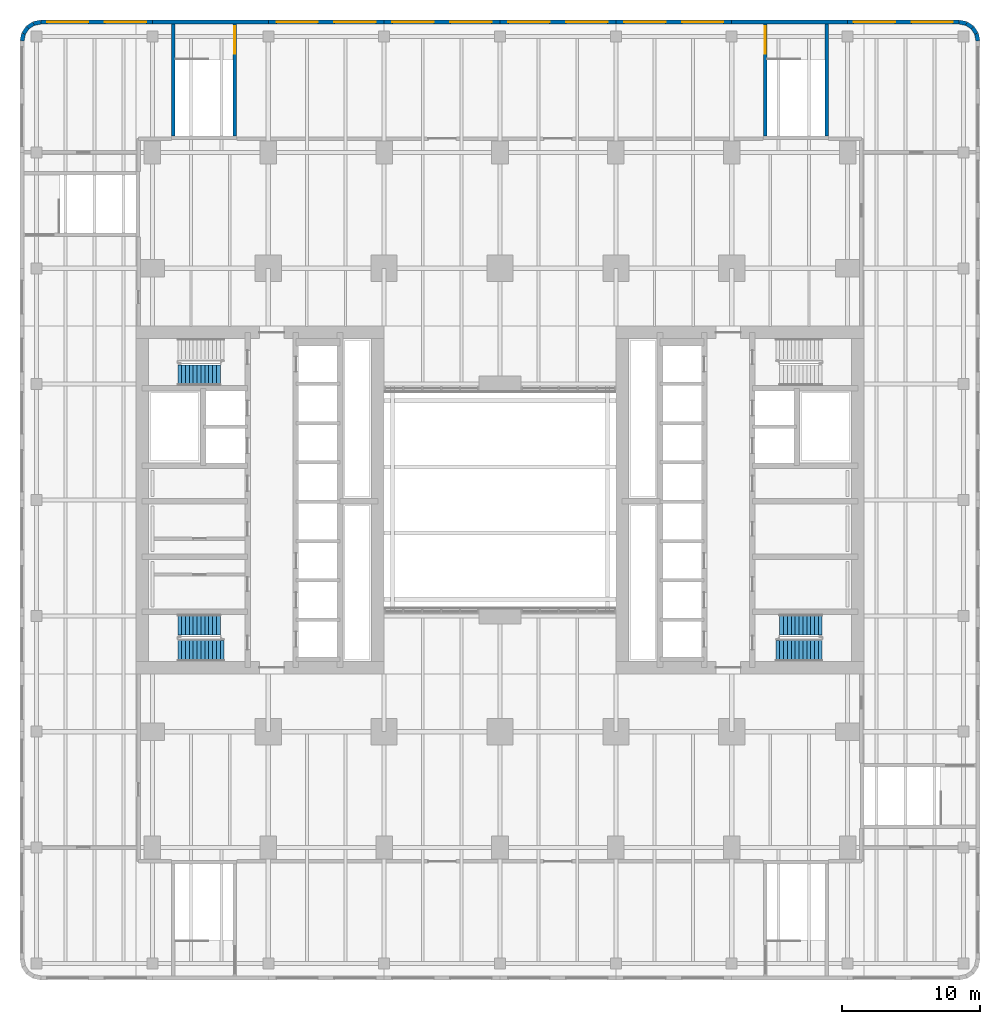
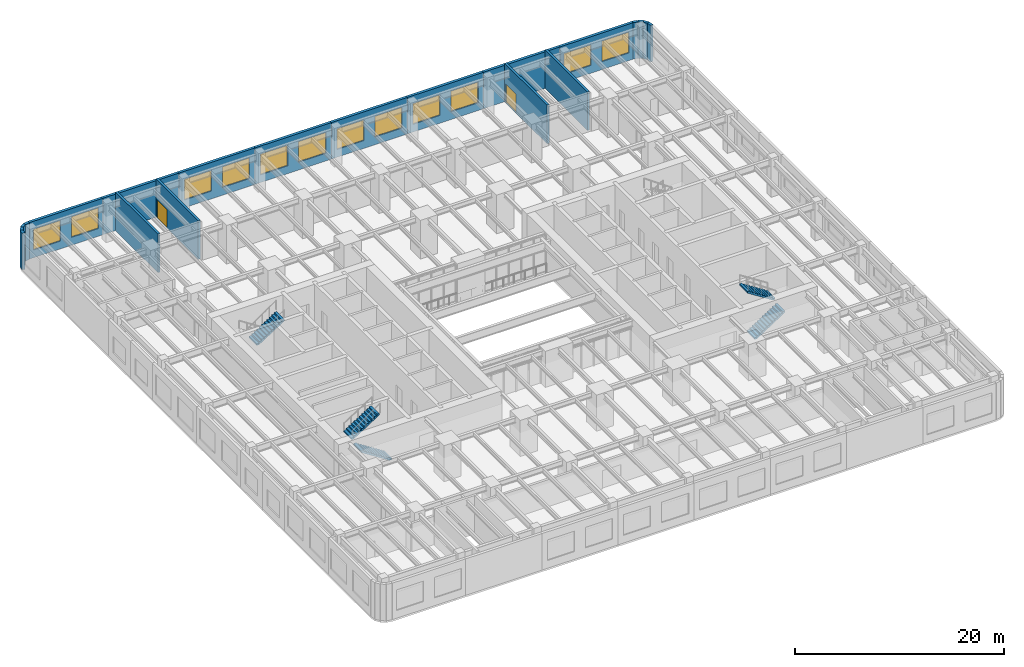
# One storey, part 14 of 22: 20 walls, 12 windows, 5 stair flights, 2 doors, 14 openings, 3 elements without a shape of their own.
"""IFC4 building model written with IfcOpenShell, lengths in metres."""

from ifc_helpers import new_model, si_unit, direction, frame, frame_2d, origin, place, context, subcontext, project, spatial, polyline, rectangle, outline, extrude, material, layer, layer_set, type_object, element, fill, aggregate, save


model = new_model("IFC4")

# Units and contexts
model_context = context("Model", 3, precision=1e-05, world=origin(), true_north=direction((0.0, 1.0)))
body_context = subcontext(model_context, "Body", "Model", "MODEL_VIEW")
ifc_project = project(units=[si_unit("LENGTHUNIT", "METRE"), si_unit("AREAUNIT", "SQUARE_METRE"), si_unit("VOLUMEUNIT", "CUBIC_METRE"), si_unit("PLANEANGLEUNIT", "RADIAN"), si_unit("MASSUNIT", "GRAM", prefix="KILO")], contexts=[model_context])

# Site, building, storey
site_placement = place(None, origin())
site = spatial("IfcSite", under=ifc_project, at=site_placement, CompositionType="ELEMENT")
building_placement = place(site_placement, origin())
building = spatial("IfcBuilding", under=site, at=building_placement, Name="Claustro Exchange Tower", CompositionType="ELEMENT")
storey_placement = place(building_placement, frame((0.0, 0.0, 14.39990234375)))
storey = spatial("IfcBuildingStorey", under=building, at=storey_placement, Name="L03", CompositionType="ELEMENT", Elevation=14.39990234375)

# Walls
ifc_material_1 = material(Name="Concrete HA-40 (C40/50), precast, white cement, acid-etched", Category="concrete")
ifc_layer_1 = layer(ifc_material_1, 0.300048828125)
ifc_layer_set_1 = layer_set([ifc_layer_1], Name="Concrete HA-40 (C40/50), precast, white cement, acid-etched")
wall_type_1 = type_object("IfcWallType", Name="PC1 300 precast concrete pier panel", PredefinedType="SOLIDWALL", material=ifc_layer_set_1)
wall_1_placement = place(storey_placement, frame((-9.449951171875, 58.485107421875, 0.0), z_axis=(0.0, 0.0, 1.0), x_axis=(0.195073962632, 0.980788534345, 0.0)))
element("IfcWall", 1, at=wall_1_placement, inside=storey, type_object=wall_type_1, Name="Precast pier panel PC1 L03", PredefinedType="SOLIDWALL", context=body_context, shape_type="SweptSolid", body=[
    extrude(rectangle(XDim=0.540771484375, YDim=0.300048828125, at=frame_2d((0.2705078125, 0.0))), origin(), (0.0, 0.0, 1.0), 4.25),
])
wall_2_placement = place(storey_placement, frame((-9.344482421875, 59.015380859375, 0.0), z_axis=(0.0, 0.0, 1.0), x_axis=(0.55534295404, 0.831621430339, 0.0)))
element("IfcWall", 2, at=wall_2_placement, inside=storey, type_object=wall_type_1, Name="Precast pier panel PC1 L03", PredefinedType="SOLIDWALL", context=body_context, shape_type="SweptSolid", body=[
    extrude(rectangle(XDim=0.52587890625, YDim=0.300048828125, at=frame_2d((0.262939453125, 0.0))), origin(), (0.0, 0.0, 1.0), 4.25),
])
wall_3_placement = place(storey_placement, frame((-9.052490234375, 59.45263671875, 0.0), z_axis=(0.0, 0.0, 1.0), x_axis=(0.831692711774, 0.555236195849, 0.0)))
element("IfcWall", 3, at=wall_3_placement, inside=storey, type_object=wall_type_1, Name="Precast pier panel PC1 L03", PredefinedType="SOLIDWALL", context=body_context, shape_type="SweptSolid", body=[
    extrude(rectangle(XDim=0.525390625, YDim=0.300048828125, at=frame_2d((0.2626953125, 0.0))), origin(), (0.0, 0.0, 1.0), 4.25),
])
wall_4_placement = place(storey_placement, frame((-8.615478515625, 59.744384765625, 0.0), z_axis=(0.0, 0.0, 1.0), x_axis=(0.980702050465, 0.1955082817, 0.0)))
element("IfcWall", 4, at=wall_4_placement, inside=storey, type_object=wall_type_1, Name="Precast pier panel PC1 L03", PredefinedType="SOLIDWALL", context=body_context, shape_type="SweptSolid", body=[
    extrude(rectangle(XDim=0.540771484375, YDim=0.300048828125, at=frame_2d((0.2705078125, 0.0))), origin(), (0.0, 0.0, 1.0), 4.25),
])

# Wall, openings, windows
wall_5_placement = place(storey_placement, frame((-8.085205078125, 59.85009765625, 0.0), z_axis=(0.0, 0.0, 1.0), x_axis=(1.0, 0.0, 0.0)))
wall_5 = element("IfcWall", 5, at=wall_5_placement, inside=storey, type_object=wall_type_1, Name="Precast pier panel PC1 L03", PredefinedType="SOLIDWALL", context=body_context, shape_type="SweptSolid", body=[
    extrude(rectangle(XDim=8.085205078125, YDim=0.300048828125, at=frame_2d((4.04248046875, 0.0))), origin(), (0.0, 0.0, 1.0), 4.25),
])
opening_1_placement = place(wall_5_placement, frame((0.442626953125, 0.0, 0.89990234375)))
opening_1 = element("IfcOpeningElement", 6, at=opening_1_placement, cuts=wall_5, Name="Opening W3", PredefinedType="OPENING", context=body_context, shape_type="SweptSolid", body=[
    extrude(rectangle(XDim=3.0, YDim=2.39990234375, at=frame_2d((1.5, 1.199951171875))), frame((0.0, 0.159912109375, 0.0), z_axis=(0.0, -1.0, 0.0), x_axis=(1.0, 0.0, 0.0)), (0.0, 0.0, 1.0), 0.320068359375),
])
opening_2_placement = place(wall_5_placement, frame((4.642578125, 0.0, 0.89990234375)))
opening_2 = element("IfcOpeningElement", 7, at=opening_2_placement, cuts=wall_5, Name="Opening W3", PredefinedType="OPENING", context=body_context, shape_type="SweptSolid", body=[
    extrude(rectangle(XDim=3.0, YDim=2.39990234375, at=frame_2d((1.5, 1.199951171875))), frame((0.0, 0.159912109375, 0.0), z_axis=(0.0, -1.0, 0.0), x_axis=(1.0, 0.0, 0.0)), (0.0, 0.0, 1.0), 0.320068359375),
])
ifc_material_2 = material(Name="Aluminium frame, clear double glazing", Category="aluminium")
window_type = type_object("IfcWindowType", Name="W3 3000 x 2400 window", PartitioningType="SINGLE_PANEL", PredefinedType="WINDOW", material=ifc_material_2)
window_1_placement = place(opening_1_placement, origin())
window_1 = element("IfcWindow", 8, at=window_1_placement, inside=storey, type_object=window_type, Name="Window W3 L03", OverallHeight=2.39990234375, OverallWidth=3.0, PartitioningType="SINGLE_PANEL", PredefinedType="WINDOW", context=body_context, shape_type="SweptSolid", body=[
    extrude(rectangle(XDim=3.0, YDim=2.39990234375, at=frame_2d((1.5, 1.199951171875))), frame((0.0, 0.030029296875, 0.0), z_axis=(0.0, -1.0, 0.0), x_axis=(1.0, 0.0, 0.0)), (0.0, 0.0, 1.0), 0.06005859375),
])
fill(opening_1, window_1)
window_2_placement = place(opening_2_placement, origin())
window_2 = element("IfcWindow", 9, at=window_2_placement, inside=storey, type_object=window_type, Name="Window W3 L03", OverallHeight=2.39990234375, OverallWidth=3.0, PartitioningType="SINGLE_PANEL", PredefinedType="WINDOW", context=body_context, shape_type="SweptSolid", body=[
    extrude(rectangle(XDim=3.0, YDim=2.39990234375, at=frame_2d((1.5, 1.199951171875))), frame((0.0, 0.030029296875, 0.0), z_axis=(0.0, -1.0, 0.0), x_axis=(1.0, 0.0, 0.0)), (0.0, 0.0, 1.0), 0.06005859375),
])
fill(opening_2, window_2)

# Wall
wall_6_placement = place(storey_placement, frame((0.0, 59.85009765625, 0.0), z_axis=(0.0, 0.0, 1.0), x_axis=(1.0, 0.0, 0.0)))
element("IfcWall", 10, at=wall_6_placement, inside=storey, type_object=wall_type_1, Name="Precast pier panel PC1 L03", PredefinedType="SOLIDWALL", context=body_context, shape_type="SweptSolid", body=[
    extrude(rectangle(XDim=8.39990234375, YDim=0.300048828125, at=frame_2d((4.199951171875, 0.0))), origin(), (0.0, 0.0, 1.0), 4.25),
])

# Wall, openings, windows
wall_7_placement = place(storey_placement, frame((8.39990234375, 59.85009765625, 0.0), z_axis=(0.0, 0.0, 1.0), x_axis=(1.0, 0.0, 0.0)))
wall_7 = element("IfcWall", 11, at=wall_7_placement, inside=storey, type_object=wall_type_1, Name="Precast pier panel PC1 L03", PredefinedType="SOLIDWALL", context=body_context, shape_type="SweptSolid", body=[
    extrude(rectangle(XDim=8.400146484375, YDim=0.300048828125, at=frame_2d((4.2001953125, 0.0))), origin(), (0.0, 0.0, 1.0), 4.25),
])
opening_3_placement = place(wall_7_placement, frame((0.60009765625, 0.0, 0.89990234375)))
opening_3 = element("IfcOpeningElement", 12, at=opening_3_placement, cuts=wall_7, Name="Opening W3", PredefinedType="OPENING", context=body_context, shape_type="SweptSolid", body=[
    extrude(rectangle(XDim=3.0, YDim=2.39990234375, at=frame_2d((1.5, 1.199951171875))), frame((0.0, 0.159912109375, 0.0), z_axis=(0.0, -1.0, 0.0), x_axis=(1.0, 0.0, 0.0)), (0.0, 0.0, 1.0), 0.320068359375),
])
opening_4_placement = place(wall_7_placement, frame((4.800048828125, 0.0, 0.89990234375)))
opening_4 = element("IfcOpeningElement", 13, at=opening_4_placement, cuts=wall_7, Name="Opening W3", PredefinedType="OPENING", context=body_context, shape_type="SweptSolid", body=[
    extrude(rectangle(XDim=3.0, YDim=2.39990234375, at=frame_2d((1.5, 1.199951171875))), frame((0.0, 0.159912109375, 0.0), z_axis=(0.0, -1.0, 0.0), x_axis=(1.0, 0.0, 0.0)), (0.0, 0.0, 1.0), 0.320068359375),
])
window_3_placement = place(opening_3_placement, origin())
window_3 = element("IfcWindow", 14, at=window_3_placement, inside=storey, type_object=window_type, Name="Window W3 L03", OverallHeight=2.39990234375, OverallWidth=3.0, PartitioningType="SINGLE_PANEL", PredefinedType="WINDOW", context=body_context, shape_type="SweptSolid", body=[
    extrude(rectangle(XDim=3.0, YDim=2.39990234375, at=frame_2d((1.5, 1.199951171875))), frame((0.0, 0.030029296875, 0.0), z_axis=(0.0, -1.0, 0.0), x_axis=(1.0, 0.0, 0.0)), (0.0, 0.0, 1.0), 0.06005859375),
])
fill(opening_3, window_3)
window_4_placement = place(opening_4_placement, origin())
window_4 = element("IfcWindow", 15, at=window_4_placement, inside=storey, type_object=window_type, Name="Window W3 L03", OverallHeight=2.39990234375, OverallWidth=3.0, PartitioningType="SINGLE_PANEL", PredefinedType="WINDOW", context=body_context, shape_type="SweptSolid", body=[
    extrude(rectangle(XDim=3.0, YDim=2.39990234375, at=frame_2d((1.5, 1.199951171875))), frame((0.0, 0.030029296875, 0.0), z_axis=(0.0, -1.0, 0.0), x_axis=(1.0, 0.0, 0.0)), (0.0, 0.0, 1.0), 0.06005859375),
])
fill(opening_4, window_4)

wall_8_placement = place(storey_placement, frame((16.800048828125, 59.85009765625, 0.0), z_axis=(0.0, 0.0, 1.0), x_axis=(1.0, 0.0, 0.0)))
wall_8 = element("IfcWall", 16, at=wall_8_placement, inside=storey, type_object=wall_type_1, Name="Precast pier panel PC1 L03", PredefinedType="SOLIDWALL", context=body_context, shape_type="SweptSolid", body=[
    extrude(rectangle(XDim=8.39990234375, YDim=0.300048828125, at=frame_2d((4.199951171875, 0.0))), origin(), (0.0, 0.0, 1.0), 4.25),
])
opening_5_placement = place(wall_8_placement, frame((0.60009765625, 0.0, 0.89990234375)))
opening_5 = element("IfcOpeningElement", 17, at=opening_5_placement, cuts=wall_8, Name="Opening W3", PredefinedType="OPENING", context=body_context, shape_type="SweptSolid", body=[
    extrude(rectangle(XDim=3.0, YDim=2.39990234375, at=frame_2d((1.5, 1.199951171875))), frame((0.0, 0.159912109375, 0.0), z_axis=(0.0, -1.0, 0.0), x_axis=(1.0, 0.0, 0.0)), (0.0, 0.0, 1.0), 0.320068359375),
])
opening_6_placement = place(wall_8_placement, frame((4.800048828125, 0.0, 0.89990234375)))
opening_6 = element("IfcOpeningElement", 18, at=opening_6_placement, cuts=wall_8, Name="Opening W3", PredefinedType="OPENING", context=body_context, shape_type="SweptSolid", body=[
    extrude(rectangle(XDim=3.0, YDim=2.39990234375, at=frame_2d((1.5, 1.199951171875))), frame((0.0, 0.159912109375, 0.0), z_axis=(0.0, -1.0, 0.0), x_axis=(1.0, 0.0, 0.0)), (0.0, 0.0, 1.0), 0.320068359375),
])
window_5_placement = place(opening_5_placement, origin())
window_5 = element("IfcWindow", 19, at=window_5_placement, inside=storey, type_object=window_type, Name="Window W3 L03", OverallHeight=2.39990234375, OverallWidth=3.0, PartitioningType="SINGLE_PANEL", PredefinedType="WINDOW", context=body_context, shape_type="SweptSolid", body=[
    extrude(rectangle(XDim=3.0, YDim=2.39990234375, at=frame_2d((1.5, 1.199951171875))), frame((0.0, 0.030029296875, 0.0), z_axis=(0.0, -1.0, 0.0), x_axis=(1.0, 0.0, 0.0)), (0.0, 0.0, 1.0), 0.06005859375),
])
fill(opening_5, window_5)
window_6_placement = place(opening_6_placement, origin())
window_6 = element("IfcWindow", 20, at=window_6_placement, inside=storey, type_object=window_type, Name="Window W3 L03", OverallHeight=2.39990234375, OverallWidth=3.0, PartitioningType="SINGLE_PANEL", PredefinedType="WINDOW", context=body_context, shape_type="SweptSolid", body=[
    extrude(rectangle(XDim=3.0, YDim=2.39990234375, at=frame_2d((1.5, 1.199951171875))), frame((0.0, 0.030029296875, 0.0), z_axis=(0.0, -1.0, 0.0), x_axis=(1.0, 0.0, 0.0)), (0.0, 0.0, 1.0), 0.06005859375),
])
fill(opening_6, window_6)

wall_9_placement = place(storey_placement, frame((25.199951171875, 59.85009765625, 0.0), z_axis=(0.0, 0.0, 1.0), x_axis=(1.0, 0.0, 0.0)))
wall_9 = element("IfcWall", 21, at=wall_9_placement, inside=storey, type_object=wall_type_1, Name="Precast pier panel PC1 L03", PredefinedType="SOLIDWALL", context=body_context, shape_type="SweptSolid", body=[
    extrude(rectangle(XDim=8.400146484375, YDim=0.300048828125, at=frame_2d((4.2001953125, 0.0))), origin(), (0.0, 0.0, 1.0), 4.25),
])
opening_7_placement = place(wall_9_placement, frame((0.60009765625, 0.0, 0.89990234375)))
opening_7 = element("IfcOpeningElement", 22, at=opening_7_placement, cuts=wall_9, Name="Opening W3", PredefinedType="OPENING", context=body_context, shape_type="SweptSolid", body=[
    extrude(rectangle(XDim=3.0, YDim=2.39990234375, at=frame_2d((1.5, 1.199951171875))), frame((0.0, 0.159912109375, 0.0), z_axis=(0.0, -1.0, 0.0), x_axis=(1.0, 0.0, 0.0)), (0.0, 0.0, 1.0), 0.320068359375),
])
opening_8_placement = place(wall_9_placement, frame((4.800048828125, 0.0, 0.89990234375)))
opening_8 = element("IfcOpeningElement", 23, at=opening_8_placement, cuts=wall_9, Name="Opening W3", PredefinedType="OPENING", context=body_context, shape_type="SweptSolid", body=[
    extrude(rectangle(XDim=3.0, YDim=2.39990234375, at=frame_2d((1.5, 1.199951171875))), frame((0.0, 0.159912109375, 0.0), z_axis=(0.0, -1.0, 0.0), x_axis=(1.0, 0.0, 0.0)), (0.0, 0.0, 1.0), 0.320068359375),
])
window_7_placement = place(opening_7_placement, origin())
window_7 = element("IfcWindow", 24, at=window_7_placement, inside=storey, type_object=window_type, Name="Window W3 L03", OverallHeight=2.39990234375, OverallWidth=3.0, PartitioningType="SINGLE_PANEL", PredefinedType="WINDOW", context=body_context, shape_type="SweptSolid", body=[
    extrude(rectangle(XDim=3.0, YDim=2.39990234375, at=frame_2d((1.5, 1.199951171875))), frame((0.0, 0.030029296875, 0.0), z_axis=(0.0, -1.0, 0.0), x_axis=(1.0, 0.0, 0.0)), (0.0, 0.0, 1.0), 0.06005859375),
])
fill(opening_7, window_7)
window_8_placement = place(opening_8_placement, origin())
window_8 = element("IfcWindow", 25, at=window_8_placement, inside=storey, type_object=window_type, Name="Window W3 L03", OverallHeight=2.39990234375, OverallWidth=3.0, PartitioningType="SINGLE_PANEL", PredefinedType="WINDOW", context=body_context, shape_type="SweptSolid", body=[
    extrude(rectangle(XDim=3.0, YDim=2.39990234375, at=frame_2d((1.5, 1.199951171875))), frame((0.0, 0.030029296875, 0.0), z_axis=(0.0, -1.0, 0.0), x_axis=(1.0, 0.0, 0.0)), (0.0, 0.0, 1.0), 0.06005859375),
])
fill(opening_8, window_8)

wall_10_placement = place(storey_placement, frame((33.60009765625, 59.85009765625, 0.0), z_axis=(0.0, 0.0, 1.0), x_axis=(1.0, 0.0, 0.0)))
wall_10 = element("IfcWall", 26, at=wall_10_placement, inside=storey, type_object=wall_type_1, Name="Precast pier panel PC1 L03", PredefinedType="SOLIDWALL", context=body_context, shape_type="SweptSolid", body=[
    extrude(rectangle(XDim=8.39990234375, YDim=0.300048828125, at=frame_2d((4.199951171875, 0.0))), origin(), (0.0, 0.0, 1.0), 4.25),
])
opening_9_placement = place(wall_10_placement, frame((0.60009765625, 0.0, 0.89990234375)))
opening_9 = element("IfcOpeningElement", 27, at=opening_9_placement, cuts=wall_10, Name="Opening W3", PredefinedType="OPENING", context=body_context, shape_type="SweptSolid", body=[
    extrude(rectangle(XDim=3.0, YDim=2.39990234375, at=frame_2d((1.5, 1.199951171875))), frame((0.0, 0.159912109375, 0.0), z_axis=(0.0, -1.0, 0.0), x_axis=(1.0, 0.0, 0.0)), (0.0, 0.0, 1.0), 0.320068359375),
])
opening_10_placement = place(wall_10_placement, frame((4.800048828125, 0.0, 0.89990234375)))
opening_10 = element("IfcOpeningElement", 28, at=opening_10_placement, cuts=wall_10, Name="Opening W3", PredefinedType="OPENING", context=body_context, shape_type="SweptSolid", body=[
    extrude(rectangle(XDim=3.0, YDim=2.39990234375, at=frame_2d((1.5, 1.199951171875))), frame((0.0, 0.159912109375, 0.0), z_axis=(0.0, -1.0, 0.0), x_axis=(1.0, 0.0, 0.0)), (0.0, 0.0, 1.0), 0.320068359375),
])
window_9_placement = place(opening_9_placement, origin())
window_9 = element("IfcWindow", 29, at=window_9_placement, inside=storey, type_object=window_type, Name="Window W3 L03", OverallHeight=2.39990234375, OverallWidth=3.0, PartitioningType="SINGLE_PANEL", PredefinedType="WINDOW", context=body_context, shape_type="SweptSolid", body=[
    extrude(rectangle(XDim=3.0, YDim=2.39990234375, at=frame_2d((1.5, 1.199951171875))), frame((0.0, 0.030029296875, 0.0), z_axis=(0.0, -1.0, 0.0), x_axis=(1.0, 0.0, 0.0)), (0.0, 0.0, 1.0), 0.06005859375),
])
fill(opening_9, window_9)
window_10_placement = place(opening_10_placement, origin())
window_10 = element("IfcWindow", 30, at=window_10_placement, inside=storey, type_object=window_type, Name="Window W3 L03", OverallHeight=2.39990234375, OverallWidth=3.0, PartitioningType="SINGLE_PANEL", PredefinedType="WINDOW", context=body_context, shape_type="SweptSolid", body=[
    extrude(rectangle(XDim=3.0, YDim=2.39990234375, at=frame_2d((1.5, 1.199951171875))), frame((0.0, 0.030029296875, 0.0), z_axis=(0.0, -1.0, 0.0), x_axis=(1.0, 0.0, 0.0)), (0.0, 0.0, 1.0), 0.06005859375),
])
fill(opening_10, window_10)

# Wall
wall_11_placement = place(storey_placement, frame((42.0, 59.85009765625, 0.0), z_axis=(0.0, 0.0, 1.0), x_axis=(1.0, 0.0, 0.0)))
element("IfcWall", 31, at=wall_11_placement, inside=storey, type_object=wall_type_1, Name="Precast pier panel PC1 L03", PredefinedType="SOLIDWALL", context=body_context, shape_type="SweptSolid", body=[
    extrude(rectangle(XDim=8.39990234375, YDim=0.300048828125, at=frame_2d((4.199951171875, 0.0))), origin(), (0.0, 0.0, 1.0), 4.25),
])

# Wall, openings, windows
wall_12_placement = place(storey_placement, frame((50.39990234375, 59.85009765625, 0.0), z_axis=(0.0, 0.0, 1.0), x_axis=(1.0, 0.0, 0.0)))
wall_12 = element("IfcWall", 32, at=wall_12_placement, inside=storey, type_object=wall_type_1, Name="Precast pier panel PC1 L03", PredefinedType="SOLIDWALL", context=body_context, shape_type="SweptSolid", body=[
    extrude(rectangle(XDim=8.085205078125, YDim=0.300048828125, at=frame_2d((4.04248046875, 0.0))), origin(), (0.0, 0.0, 1.0), 4.25),
])
opening_11_placement = place(wall_12_placement, frame((0.442626953125, 0.0, 0.89990234375)))
opening_11 = element("IfcOpeningElement", 33, at=opening_11_placement, cuts=wall_12, Name="Opening W3", PredefinedType="OPENING", context=body_context, shape_type="SweptSolid", body=[
    extrude(rectangle(XDim=3.0, YDim=2.39990234375, at=frame_2d((1.5, 1.199951171875))), frame((0.0, 0.159912109375, 0.0), z_axis=(0.0, -1.0, 0.0), x_axis=(1.0, 0.0, 0.0)), (0.0, 0.0, 1.0), 0.320068359375),
])
opening_12_placement = place(wall_12_placement, frame((4.642578125, 0.0, 0.89990234375)))
opening_12 = element("IfcOpeningElement", 34, at=opening_12_placement, cuts=wall_12, Name="Opening W3", PredefinedType="OPENING", context=body_context, shape_type="SweptSolid", body=[
    extrude(rectangle(XDim=3.0, YDim=2.39990234375, at=frame_2d((1.5, 1.199951171875))), frame((0.0, 0.159912109375, 0.0), z_axis=(0.0, -1.0, 0.0), x_axis=(1.0, 0.0, 0.0)), (0.0, 0.0, 1.0), 0.320068359375),
])
window_11_placement = place(opening_11_placement, origin())
window_11 = element("IfcWindow", 35, at=window_11_placement, inside=storey, type_object=window_type, Name="Window W3 L03", OverallHeight=2.39990234375, OverallWidth=3.0, PartitioningType="SINGLE_PANEL", PredefinedType="WINDOW", context=body_context, shape_type="SweptSolid", body=[
    extrude(rectangle(XDim=3.0, YDim=2.39990234375, at=frame_2d((1.5, 1.199951171875))), frame((0.0, 0.030029296875, 0.0), z_axis=(0.0, -1.0, 0.0), x_axis=(1.0, 0.0, 0.0)), (0.0, 0.0, 1.0), 0.06005859375),
])
fill(opening_11, window_11)
window_12_placement = place(opening_12_placement, origin())
window_12 = element("IfcWindow", 36, at=window_12_placement, inside=storey, type_object=window_type, Name="Window W3 L03", OverallHeight=2.39990234375, OverallWidth=3.0, PartitioningType="SINGLE_PANEL", PredefinedType="WINDOW", context=body_context, shape_type="SweptSolid", body=[
    extrude(rectangle(XDim=3.0, YDim=2.39990234375, at=frame_2d((1.5, 1.199951171875))), frame((0.0, 0.030029296875, 0.0), z_axis=(0.0, -1.0, 0.0), x_axis=(1.0, 0.0, 0.0)), (0.0, 0.0, 1.0), 0.06005859375),
])
fill(opening_12, window_12)

# Walls
wall_13_placement = place(storey_placement, frame((58.485107421875, 59.85009765625, 0.0), z_axis=(0.0, 0.0, 1.0), x_axis=(0.980702050465, -0.1955082817, 0.0)))
element("IfcWall", 37, at=wall_13_placement, inside=storey, type_object=wall_type_1, Name="Precast pier panel PC1 L03", PredefinedType="SOLIDWALL", context=body_context, shape_type="SweptSolid", body=[
    extrude(rectangle(XDim=0.540771484375, YDim=0.300048828125, at=frame_2d((0.2705078125, 0.0))), origin(), (0.0, 0.0, 1.0), 4.25),
])
for number, where, z_axis, x_axis, name in (
    (38, (59.015380859375, 59.744384765625, 0.0), (0.0, 0.0, 1.0), (0.831835869144, -0.555021699401, 0.0), "Precast pier panel PC1 L03"),
    (39, (59.45263671875, 59.45263671875, 0.0), (0.0, 0.0, 1.0), (0.555021699401, -0.831835869144, 0.0), "Precast pier panel PC1 L03"),
):
    element("IfcWall", number, at=place(storey_placement, frame(where, z_axis=z_axis, x_axis=x_axis)), inside=storey, type_object=wall_type_1, Name=name, PredefinedType="SOLIDWALL", context=body_context, shape_type="SweptSolid", body=[
        extrude(rectangle(XDim=0.525634765625, YDim=0.300048828125, at=frame_2d((0.2626953125, 0.0))), origin(), (0.0, 0.0, 1.0), 4.25),
    ])
wall_14_placement = place(storey_placement, frame((59.744384765625, 59.015380859375, 0.0), z_axis=(0.0, 0.0, 1.0), x_axis=(0.1955082817, -0.980702050465, 0.0)))
element("IfcWall", 40, at=wall_14_placement, inside=storey, type_object=wall_type_1, Name="Precast pier panel PC1 L03", PredefinedType="SOLIDWALL", context=body_context, shape_type="SweptSolid", body=[
    extrude(rectangle(XDim=0.540771484375, YDim=0.300048828125, at=frame_2d((0.2705078125, 0.0))), origin(), (0.0, 0.0, 1.0), 4.25),
])
ifc_material_3 = material(Name="Concrete HA-40 (C40/50)", Category="concrete")
ifc_layer_2 = layer(ifc_material_3, 0.25)
ifc_layer_set_2 = layer_set([ifc_layer_2], Name="Concrete HA-40 (C40/50)")
wall_type_2 = type_object("IfcWallType", Name="SW7 250 reinforced concrete stair wall", PredefinedType="SOLIDWALL", material=ifc_layer_set_2)
wall_15_placement = place(storey_placement, frame((1.52490234375, 59.701904296875, 0.0), z_axis=(0.0, 0.0, 1.0), x_axis=(0.0, -1.0, 0.0)))
element("IfcWall", 41, at=wall_15_placement, inside=storey, type_object=wall_type_2, Name="Stair enclosure wall STP3 SW7 L03", PredefinedType="SOLIDWALL", context=body_context, shape_type="SweptSolid", body=[
    extrude(rectangle(XDim=8.101806640625, YDim=0.25, at=frame_2d((4.05078125, 0.0))), origin(), (0.0, 0.0, 1.0), 4.5),
])

# Wall, opening, door
wall_16_placement = place(storey_placement, frame((5.97509765625, 59.701904296875, 0.0), z_axis=(0.0, 0.0, 1.0), x_axis=(0.0, -1.0, 0.0)))
wall_16 = element("IfcWall", 42, at=wall_16_placement, inside=storey, type_object=wall_type_2, Name="Stair enclosure wall STP3 SW7 L03", PredefinedType="SOLIDWALL", context=body_context, shape_type="SweptSolid", body=[
    extrude(rectangle(XDim=8.101806640625, YDim=0.25, at=frame_2d((4.05078125, 0.0))), origin(), (0.0, 0.0, 1.0), 4.5),
])
opening_13_placement = place(wall_16_placement, frame((0.14990234375, 0.0, 0.0)))
opening_13 = element("IfcOpeningElement", 43, at=opening_13_placement, cuts=wall_16, Name="Opening D11", PredefinedType="OPENING", context=body_context, shape_type="SweptSolid", body=[
    extrude(rectangle(XDim=2.0, YDim=2.199951171875, at=frame_2d((1.0, 1.10009765625))), frame((0.0, 0.135009765625, 0.0), z_axis=(0.0, -1.0, 0.0), x_axis=(1.0, 0.0, 0.0)), (0.0, 0.0, 1.0), 0.27001953125),
])
ifc_material_4 = material(Name="Steel fire door, painted", Category="steel")
door_type = type_object("IfcDoorType", Name="D11 2000 x 2200 fire-rated stair double door", OperationType="DOUBLE_DOOR_SINGLE_SWING", PredefinedType="DOOR", material=ifc_material_4)
door_1_placement = place(opening_13_placement, frame((2.0, 0.0, 0.0), z_axis=(0.0, 0.0, 1.0), x_axis=(-1.0, 0.0, 0.0)))
door_1 = element("IfcDoor", 44, at=door_1_placement, inside=storey, type_object=door_type, Name="Stair door STP3 D11 L03", OperationType="DOUBLE_DOOR_SINGLE_SWING", OverallHeight=2.199951171875, OverallWidth=2.0, PredefinedType="DOOR", context=body_context, shape_type="SweptSolid", body=[
    extrude(rectangle(XDim=2.0, YDim=2.199951171875, at=frame_2d((1.0, 1.10009765625))), frame((0.0, 0.02490234375, 0.0), z_axis=(0.0, -1.0, 0.0), x_axis=(1.0, 0.0, 0.0)), (0.0, 0.0, 1.0), 0.050048828125),
])
fill(opening_13, door_1)

wall_17_placement = place(storey_placement, frame((44.425048828125, 59.701904296875, 0.0), z_axis=(0.0, 0.0, 1.0), x_axis=(0.0, -1.0, 0.0)))
wall_17 = element("IfcWall", 45, at=wall_17_placement, inside=storey, type_object=wall_type_2, Name="Stair enclosure wall STP4 SW7 L03", PredefinedType="SOLIDWALL", context=body_context, shape_type="SweptSolid", body=[
    extrude(rectangle(XDim=8.101806640625, YDim=0.25, at=frame_2d((4.05078125, 0.0))), origin(), (0.0, 0.0, 1.0), 4.5),
])
opening_14_placement = place(wall_17_placement, frame((0.14990234375, 0.0, 0.0)))
opening_14 = element("IfcOpeningElement", 46, at=opening_14_placement, cuts=wall_17, Name="Opening D11", PredefinedType="OPENING", context=body_context, shape_type="SweptSolid", body=[
    extrude(rectangle(XDim=2.0, YDim=2.199951171875, at=frame_2d((1.0, 1.10009765625))), frame((0.0, 0.135009765625, 0.0), z_axis=(0.0, -1.0, 0.0), x_axis=(1.0, 0.0, 0.0)), (0.0, 0.0, 1.0), 0.27001953125),
])
door_2_placement = place(opening_14_placement, origin())
door_2 = element("IfcDoor", 47, at=door_2_placement, inside=storey, type_object=door_type, Name="Stair door STP4 D11 L03", OperationType="DOUBLE_DOOR_SINGLE_SWING", OverallHeight=2.199951171875, OverallWidth=2.0, PredefinedType="DOOR", context=body_context, shape_type="SweptSolid", body=[
    extrude(rectangle(XDim=2.0, YDim=2.199951171875, at=frame_2d((1.0, 1.10009765625))), frame((0.0, 0.02490234375, 0.0), z_axis=(0.0, -1.0, 0.0), x_axis=(1.0, 0.0, 0.0)), (0.0, 0.0, 1.0), 0.050048828125),
])
fill(opening_14, door_2)

# Wall
wall_18_placement = place(storey_placement, frame((48.875, 59.701904296875, 0.0), z_axis=(0.0, 0.0, 1.0), x_axis=(0.0, -1.0, 0.0)))
element("IfcWall", 48, at=wall_18_placement, inside=storey, type_object=wall_type_2, Name="Stair enclosure wall STP4 SW7 L03", PredefinedType="SOLIDWALL", context=body_context, shape_type="SweptSolid", body=[
    extrude(rectangle(XDim=8.101806640625, YDim=0.25, at=frame_2d((4.05078125, 0.0))), origin(), (0.0, 0.0, 1.0), 4.5),
])

# Stair, stair flight
ifc_material_5 = material(Name="Concrete HA-30 (C30/37), precast", Category="concrete")
stair_type = type_object("IfcStairType", Name="ST2 half-turn stair, 25 risers of 180", PredefinedType="HALF_TURN_STAIR", material=ifc_material_5)
stair_1_placement = place(storey_placement, origin())
stair_1 = element("IfcStair", 49, at=stair_1_placement, inside=storey, type_object=stair_type, Name="Stair STWA L03", PredefinedType="HALF_TURN_STAIR")
ifc_material_6 = material(Name="Concrete HA-30 (C30/37), precast", Category="concrete")
stair_flight_type_1 = type_object("IfcStairFlightType", Name="SF12B straight flight, 12 risers of 180, 1500 wide", PredefinedType="STRAIGHT", material=ifc_material_6)
stair_flight_1_placement = place(storey_placement, frame((1.840087890625, 16.14990234375, 2.340087890625), z_axis=(0.0, 0.0, 1.0), x_axis=(1.0, 0.0, 0.0)))
stair_flight_1 = element("IfcStairFlight", 50, at=stair_flight_1_placement, type_object=stair_flight_type_1, Name="STWA flight 2", NumberOfRisers=12, NumberOfTreads=11, PredefinedType="STRAIGHT", RiserHeight=0.18, TreadLength=0.28, context=body_context, shape_type="SweptSolid", body=[
    extrude(outline(polyline([(0.0, 0.0), (0.0, 0.179931640625), (0.280029296875, 0.179931640625), (0.280029296875, 0.360107421875), (0.56005859375, 0.360107421875), (0.56005859375, 0.5400390625), (0.840087890625, 0.5400390625), (0.840087890625, 0.719970703125), (1.1201171875, 0.719970703125), (1.1201171875, 0.89990234375), (1.39990234375, 0.89990234375), (1.39990234375, 1.080078125), (1.679931640625, 1.080078125), (1.679931640625, 1.260009765625), (1.9599609375, 1.260009765625), (1.9599609375, 1.43994140625), (2.239990234375, 1.43994140625), (2.239990234375, 1.6201171875), (2.52001953125, 1.6201171875), (2.52001953125, 1.800048828125), (2.800048828125, 1.800048828125), (2.800048828125, 1.97998046875), (3.080078125, 1.97998046875), (3.080078125, 2.159912109375), (3.080078125, 1.8017578125), (0.277099609375, 0.0), (0.0, 0.0)])), frame((0.0, 0.75, 0.0), z_axis=(0.0, -1.0, 0.0), x_axis=(1.0, 0.0, 0.0)), (0.0, 0.0, 1.0), 1.5),
])

stair_2_placement = place(storey_placement, origin())
stair_2 = element("IfcStair", 51, at=stair_2_placement, inside=storey, type_object=stair_type, Name="Stair STWB L03", PredefinedType="HALF_TURN_STAIR")
stair_flight_2_placement = place(storey_placement, frame((1.840087890625, 34.25, 2.340087890625), z_axis=(0.0, 0.0, 1.0), x_axis=(1.0, 0.0, 0.0)))
stair_flight_2 = element("IfcStairFlight", 52, at=stair_flight_2_placement, type_object=stair_flight_type_1, Name="STWB flight 2", NumberOfRisers=12, NumberOfTreads=11, PredefinedType="STRAIGHT", RiserHeight=0.18, TreadLength=0.28, context=body_context, shape_type="SweptSolid", body=[
    extrude(outline(polyline([(0.0, 0.0), (0.0, 0.179931640625), (0.280029296875, 0.179931640625), (0.280029296875, 0.360107421875), (0.56005859375, 0.360107421875), (0.56005859375, 0.5400390625), (0.840087890625, 0.5400390625), (0.840087890625, 0.719970703125), (1.1201171875, 0.719970703125), (1.1201171875, 0.89990234375), (1.39990234375, 0.89990234375), (1.39990234375, 1.080078125), (1.679931640625, 1.080078125), (1.679931640625, 1.260009765625), (1.9599609375, 1.260009765625), (1.9599609375, 1.43994140625), (2.239990234375, 1.43994140625), (2.239990234375, 1.6201171875), (2.52001953125, 1.6201171875), (2.52001953125, 1.800048828125), (2.800048828125, 1.800048828125), (2.800048828125, 1.97998046875), (3.080078125, 1.97998046875), (3.080078125, 2.159912109375), (3.080078125, 1.8017578125), (0.277099609375, 0.0), (0.0, 0.0)])), frame((0.0, 0.75, 0.0), z_axis=(0.0, -1.0, 0.0), x_axis=(1.0, 0.0, 0.0)), (0.0, 0.0, 1.0), 1.5),
])
aggregate(stair_2, [stair_flight_2])

stair_3_placement = place(storey_placement, origin())
stair_3 = element("IfcStair", 53, at=stair_3_placement, inside=storey, type_object=stair_type, Name="Stair STEA L03", PredefinedType="HALF_TURN_STAIR")
stair_flight_3_placement = place(storey_placement, frame((48.56005859375, 16.14990234375, 2.340087890625), z_axis=(0.0, 0.0, 1.0), x_axis=(-1.0, 0.0, 0.0)))
stair_flight_3 = element("IfcStairFlight", 54, at=stair_flight_3_placement, type_object=stair_flight_type_1, Name="STEA flight 2", NumberOfRisers=12, NumberOfTreads=11, PredefinedType="STRAIGHT", RiserHeight=0.18, TreadLength=0.28, context=body_context, shape_type="SweptSolid", body=[
    extrude(outline(polyline([(0.0, 0.0), (0.0, 0.179931640625), (0.280029296875, 0.179931640625), (0.280029296875, 0.360107421875), (0.56005859375, 0.360107421875), (0.56005859375, 0.5400390625), (0.840087890625, 0.5400390625), (0.840087890625, 0.719970703125), (1.1201171875, 0.719970703125), (1.1201171875, 0.89990234375), (1.39990234375, 0.89990234375), (1.39990234375, 1.080078125), (1.679931640625, 1.080078125), (1.679931640625, 1.260009765625), (1.9599609375, 1.260009765625), (1.9599609375, 1.43994140625), (2.239990234375, 1.43994140625), (2.239990234375, 1.6201171875), (2.52001953125, 1.6201171875), (2.52001953125, 1.800048828125), (2.800048828125, 1.800048828125), (2.800048828125, 1.97998046875), (3.080078125, 1.97998046875), (3.080078125, 2.159912109375), (3.080078125, 1.8017578125), (0.277099609375, 0.0), (0.0, 0.0)])), frame((0.0, 0.75, 0.0), z_axis=(0.0, -1.0, 0.0), x_axis=(1.0, 0.0, 0.0)), (0.0, 0.0, 1.0), 1.5),
])

# Stair flight
ifc_material_7 = material(Name="Concrete HA-30 (C30/37), precast", Category="concrete")
stair_flight_type_2 = type_object("IfcStairFlightType", Name="SF13 straight flight, 13 risers of 180, 1500 wide", PredefinedType="STRAIGHT", material=ifc_material_7)
stair_flight_4_placement = place(storey_placement, frame((5.199951171875, 14.25, 0.0), z_axis=(0.0, 0.0, 1.0), x_axis=(-1.0, 0.0, 0.0)))
stair_flight_4 = element("IfcStairFlight", 55, at=stair_flight_4_placement, type_object=stair_flight_type_2, Name="STWA flight 1", NumberOfRisers=13, NumberOfTreads=12, PredefinedType="STRAIGHT", RiserHeight=0.18, TreadLength=0.28, context=body_context, shape_type="SweptSolid", body=[
    extrude(outline(polyline([(0.0, 0.0), (0.0, 0.179931640625), (0.280029296875, 0.179931640625), (0.280029296875, 0.360107421875), (0.56005859375, 0.360107421875), (0.56005859375, 0.5400390625), (0.840087890625, 0.5400390625), (0.840087890625, 0.719970703125), (1.1201171875, 0.719970703125), (1.1201171875, 0.89990234375), (1.39990234375, 0.89990234375), (1.39990234375, 1.080078125), (1.679931640625, 1.080078125), (1.679931640625, 1.260009765625), (1.9599609375, 1.260009765625), (1.9599609375, 1.43994140625), (2.239990234375, 1.43994140625), (2.239990234375, 1.6201171875), (2.52001953125, 1.6201171875), (2.52001953125, 1.800048828125), (2.800048828125, 1.800048828125), (2.800048828125, 1.97998046875), (3.080078125, 1.97998046875), (3.080078125, 2.159912109375), (3.360107421875, 2.159912109375), (3.360107421875, 2.340087890625), (3.360107421875, 1.981689453125), (0.277099609375, 0.0), (0.0, 0.0)])), frame((0.0, 0.75, 0.0), z_axis=(0.0, -1.0, 0.0), x_axis=(1.0, 0.0, 0.0)), (0.0, 0.0, 1.0), 1.5),
])

aggregate(stair_1, [stair_flight_4, stair_flight_1])

stair_flight_5_placement = place(storey_placement, frame((45.199951171875, 14.25, 0.0), z_axis=(0.0, 0.0, 1.0), x_axis=(1.0, 0.0, 0.0)))
stair_flight_5 = element("IfcStairFlight", 56, at=stair_flight_5_placement, type_object=stair_flight_type_2, Name="STEA flight 1", NumberOfRisers=13, NumberOfTreads=12, PredefinedType="STRAIGHT", RiserHeight=0.18, TreadLength=0.28, context=body_context, shape_type="SweptSolid", body=[
    extrude(outline(polyline([(0.0, 0.0), (0.0, 0.179931640625), (0.280029296875, 0.179931640625), (0.280029296875, 0.360107421875), (0.56005859375, 0.360107421875), (0.56005859375, 0.5400390625), (0.840087890625, 0.5400390625), (0.840087890625, 0.719970703125), (1.1201171875, 0.719970703125), (1.1201171875, 0.89990234375), (1.39990234375, 0.89990234375), (1.39990234375, 1.080078125), (1.679931640625, 1.080078125), (1.679931640625, 1.260009765625), (1.9599609375, 1.260009765625), (1.9599609375, 1.43994140625), (2.239990234375, 1.43994140625), (2.239990234375, 1.6201171875), (2.52001953125, 1.6201171875), (2.52001953125, 1.800048828125), (2.800048828125, 1.800048828125), (2.800048828125, 1.97998046875), (3.080078125, 1.97998046875), (3.080078125, 2.159912109375), (3.360107421875, 2.159912109375), (3.360107421875, 2.340087890625), (3.360107421875, 1.981689453125), (0.277099609375, 0.0), (0.0, 0.0)])), frame((0.0, 0.75, 0.0), z_axis=(0.0, -1.0, 0.0), x_axis=(1.0, 0.0, 0.0)), (0.0, 0.0, 1.0), 1.5),
])

aggregate(stair_3, [stair_flight_5, stair_flight_3])

save(model, "model.ifc")
